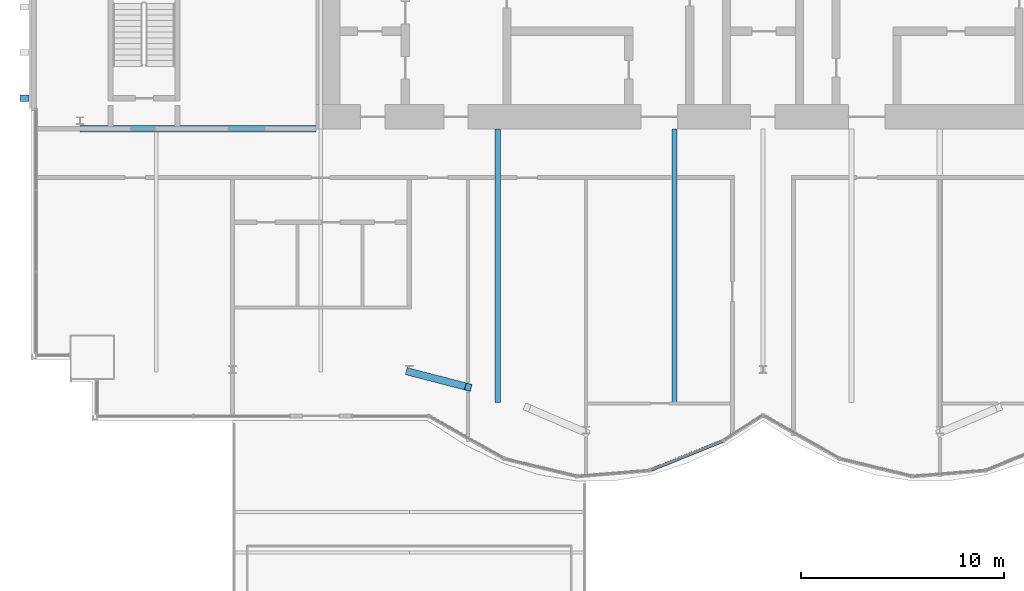
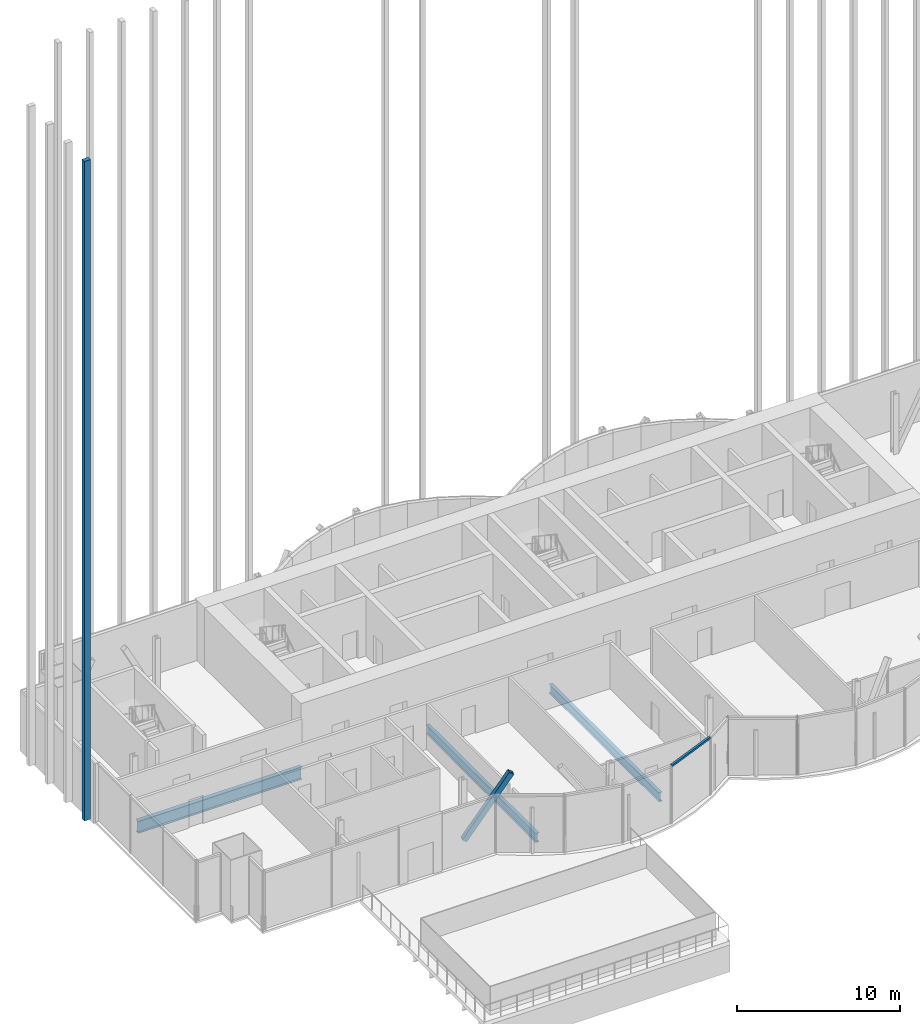
# One storey, part 7 of 22: 3 beams, 3 members, 2 elements without a shape of their own.
"""IFC4 building model written with IfcOpenShell, lengths in metres."""

from ifc_helpers import new_model, si_unit, direction, frame, origin, origin_2d, place, context, subcontext, project, spatial, rectangle, hollow_rectangle, i_section, extrude, material, material_profile, profile_set, type_object, element, aggregate, save


model = new_model("IFC4")

# Units and contexts
model_context = context("Model", 3, precision=1e-05, world=origin(), true_north=direction((0.0, 1.0)))
body_context = subcontext(model_context, "Body", "Model", "MODEL_VIEW")
ifc_project = project(units=[si_unit("LENGTHUNIT", "METRE"), si_unit("AREAUNIT", "SQUARE_METRE"), si_unit("VOLUMEUNIT", "CUBIC_METRE"), si_unit("PLANEANGLEUNIT", "RADIAN"), si_unit("MASSUNIT", "GRAM", prefix="KILO")], contexts=[model_context])

# Site, building, storey
site_placement = place(None, origin())
site = spatial("IfcSite", under=ifc_project, at=site_placement, CompositionType="ELEMENT")
building_placement = place(site_placement, origin())
building = spatial("IfcBuilding", under=site, at=building_placement, Name="Bicima Exchange Tower", CompositionType="ELEMENT")
storey_placement = place(building_placement, frame((0.0, 0.0, 293.0)))
storey = spatial("IfcBuildingStorey", under=building, at=storey_placement, Name="L66", CompositionType="ELEMENT", Elevation=293.0)

# Beams
ifc_material_1 = material(Name="Steel ASTM A992 Gr 50", Category="steel")
ifc_material_profile_1 = material_profile(ifc_material_1, i_section(OverallWidth=0.3046875, OverallDepth=0.911865234375, WebThickness=0.015869140625, FlangeThickness=0.02392578125, at=origin_2d()))
ifc_profile_set_1 = profile_set([ifc_material_profile_1], Name="Steel ASTM A992 Gr 50")
beam_type_1 = type_object("IfcBeamType", Name="Core-line girder W36x150", PredefinedType="BEAM", material=ifc_profile_set_1)
beam_placement = place(storey_placement, frame((-22.0, -13.0, -0.60595703125), z_axis=(-1.0, 0.0, 0.0), x_axis=(0.0, -1.0, 0.0)))
element("IfcBeam", 1, at=beam_placement, inside=storey, type_object=beam_type_1, Name="Core-line girder", PredefinedType="BEAM", context=body_context, shape_type="SweptSolid", body=[
    extrude(i_section(OverallWidth=0.3046875, OverallDepth=0.911865234375, WebThickness=0.015869140625, FlangeThickness=0.02392578125, at=origin_2d()), origin(), (0.0, 0.0, 1.0), 11.60009765625),
])
ifc_material_profile_2 = material_profile(ifc_material_1, i_section(OverallWidth=0.25390625, OverallDepth=0.67822265625, WebThickness=0.01171875, FlangeThickness=0.016357421875, at=origin_2d()))
ifc_profile_set_2 = profile_set([ifc_material_profile_2], Name="Steel ASTM A992 Gr 50")
beam_type_2 = type_object("IfcBeamType", Name="Floor beam W27x84", PredefinedType="JOIST", material=ifc_profile_set_2)
for number, where, z_axis, x_axis, name in (
    (2, (-13.050048828125, -13.0, -0.489013671875), (0.0, -1.0, 0.0), (1.0, 0.0, 0.0), "Floor beam"),
    (3, (-4.35009765625, -13.0, -0.489013671875), (0.0, -1.0, 0.0), (1.0, 0.0, 0.0), "Floor beam"),
):
    element("IfcBeam", number, at=place(storey_placement, frame(where, z_axis=z_axis, x_axis=x_axis)), inside=storey, type_object=beam_type_2, Name=name, PredefinedType="JOIST", context=body_context, shape_type="SweptSolid", body=[
        extrude(i_section(OverallWidth=0.25390625, OverallDepth=0.67822265625, WebThickness=0.01171875, FlangeThickness=0.016357421875, at=origin_2d()), origin(), (0.0, 0.0, 1.0), 13.45556640625),
    ])

# Curtain wall, member
ifc_material_2 = material(Name="Anodised bronze aluminium", Category="aluminium")
curtain_wall_type_1 = type_object("IfcCurtainWallType", Name="Front glass wall", PredefinedType="NOTDEFINED", material=ifc_material_2)
curtain_wall_1_placement = place(storey_placement, origin())
curtain_wall_1 = element("IfcCurtainWall", 4, at=curtain_wall_1_placement, inside=storey, type_object=curtain_wall_type_1, Name="Front glass wall L66 run 6", PredefinedType="NOTDEFINED")
ifc_material_profile_3 = material_profile(ifc_material_2, rectangle(XDim=0.159912109375, YDim=0.139892578125, at=origin_2d()))
ifc_profile_set_3 = profile_set([ifc_material_profile_3], Name="Anodised bronze aluminium")
member_type_1 = type_object("IfcMemberType", Name="Front glass wall transom 140 x 160", PredefinedType="USERDEFINED", material=ifc_profile_set_3)
member_1_placement = place(storey_placement, frame((-5.498291015625, -29.77978515625, 4.280029296875), z_axis=(0.927140215882, 0.374714584842, 0.0), x_axis=(-0.374714584842, 0.927140215882, 0.0)))
member_1 = element("IfcMember", 5, at=member_1_placement, type_object=member_type_1, Name="Front glass wall transom 1.1", ObjectType="TRANSOM", PredefinedType="USERDEFINED", context=body_context, shape_type="SweptSolid", body=[
    extrude(rectangle(XDim=0.159912109375, YDim=0.139892578125, at=origin_2d()), origin(), (0.0, 0.0, 1.0), 3.77099609375),
])
aggregate(curtain_wall_1, [member_1])

# Member
ifc_material_3 = material(Name="Steel ASTM A572 Gr 50", Category="steel")
ifc_material_profile_4 = material_profile(ifc_material_3, hollow_rectangle(XDim=0.355712890625, YDim=0.355712890625, WallThickness=0.01171875, at=origin_2d()))
ifc_profile_set_4 = profile_set([ifc_material_profile_4], Name="Steel ASTM A572 Gr 50")
member_type_2 = type_object("IfcMemberType", Name="Mega brace HSS14x14x1/2", PredefinedType="BRACE", material=ifc_profile_set_4)
member_2_placement = place(storey_placement, frame((-17.39990234375, -24.9599609375, 0.0), z_axis=(0.536409154739, -0.13927309591, 0.832387063491), x_axis=(0.251307155067, 0.967907389068, 0.0)))
element("IfcMember", 6, at=member_2_placement, inside=storey, type_object=member_type_2, Name="Mega brace front", PredefinedType="BRACE", context=body_context, shape_type="SweptSolid", body=[
    extrude(hollow_rectangle(XDim=0.355712890625, YDim=0.355712890625, WallThickness=0.01171875, at=origin_2d()), origin(), (0.0, 0.0, 1.0), 5.40625),
])

# Curtain wall, member
curtain_wall_type_2 = type_object("IfcCurtainWallType", Name="Rear blade screen", PredefinedType="NOTDEFINED", material=ifc_material_2)
curtain_wall_2_placement = place(storey_placement, origin())
curtain_wall_2 = element("IfcCurtainWall", 7, at=curtain_wall_2_placement, inside=storey, type_object=curtain_wall_type_2, Name="End blade screen L66-L76", PredefinedType="NOTDEFINED")
ifc_material_profile_5 = material_profile(ifc_material_2, rectangle(XDim=0.449951171875, YDim=0.300048828125, at=origin_2d()))
ifc_profile_set_5 = profile_set([ifc_material_profile_5], Name="Anodised bronze aluminium")
member_type_3 = type_object("IfcMemberType", Name="Rear blade fin 450 x 300", PredefinedType="USERDEFINED", material=ifc_profile_set_5)
member_3_placement = place(storey_placement, frame((-36.324951171875, -11.5, 0.0), z_axis=(0.0, 0.0, 1.0), x_axis=(1.0, 0.0, 0.0)))
member_3 = element("IfcMember", 8, at=member_3_placement, type_object=member_type_3, Name="End blade fin L66-L76 1", ObjectType="FIN", PredefinedType="USERDEFINED", context=body_context, shape_type="SweptSolid", body=[
    extrude(rectangle(XDim=0.449951171875, YDim=0.300048828125, at=origin_2d()), origin(), (0.0, 0.0, 1.0), 49.300048828125),
])
aggregate(curtain_wall_2, [member_3])

save(model, "model.ifc")
